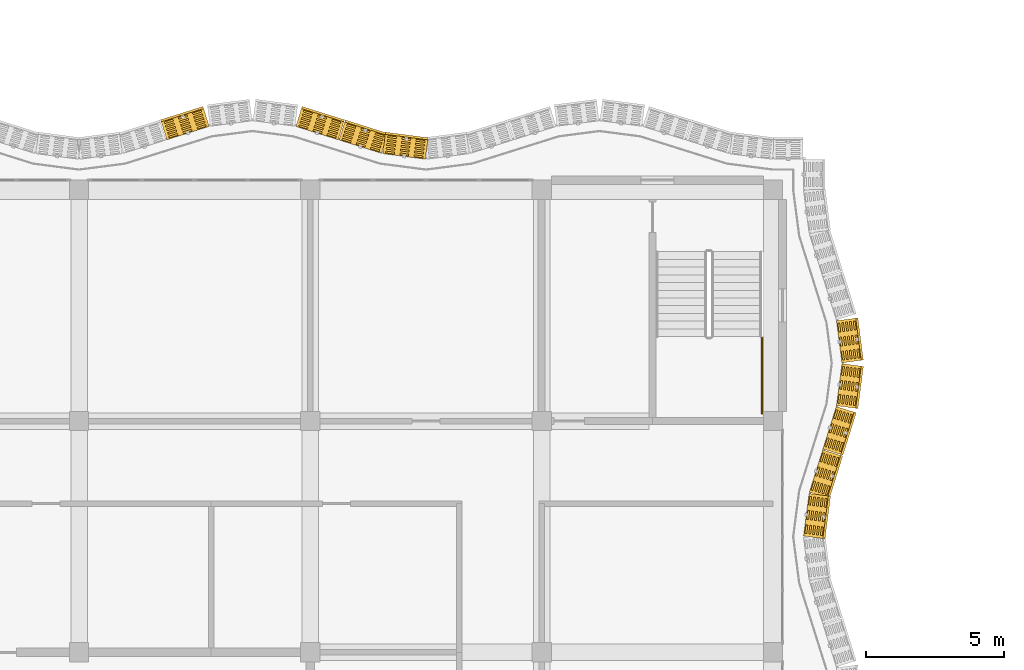
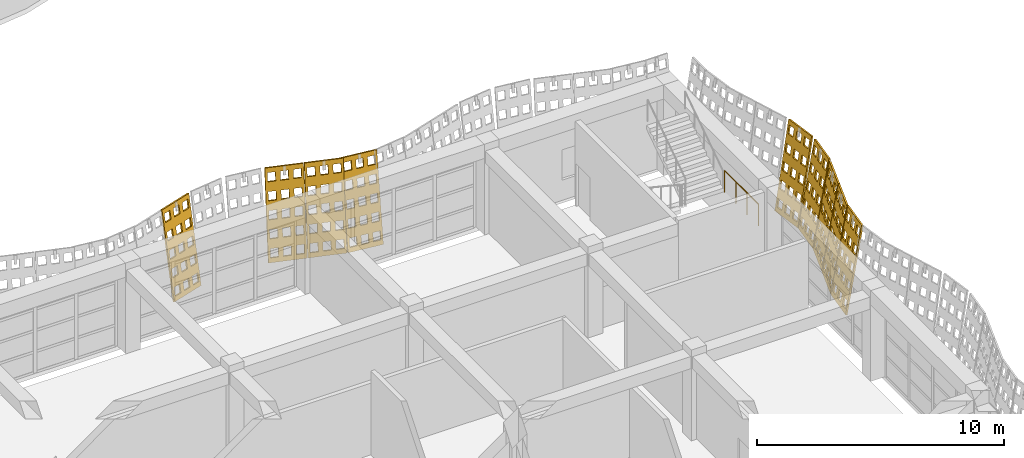
# One storey, part 161 of 163: 9 coverings, 1 railing.
"""IFC4 building model written with IfcOpenShell, lengths in metres."""

import ifcopenshell
import ifcopenshell.guid

model = None  # the IFC model being written
_history = None  # IfcOwnerHistory: only IFC2X3 demands one
_inside = {}  # id of a spatial element -> (the spatial element, [elements in it])
_under = {}  # id of a project, library or spatial element -> (it, [spatial elements below it])
_declared = {}  # id of a project -> (the project, [libraries it declares])
_typed = {}  # id of a type object -> (the type object, [elements of that type])
_made_of = {}  # id of a material, layer set ... -> (it, [elements and type objects made of it])


def new_model(schema):
    """Start an empty IFC model of exactly this schema.

    Asked for "IFC4X3", IfcOpenShell would pick the latest addendum, in which some entities
    have other attributes; the version numbers below select the first issue.
    IFC2X3 requires an IfcOwnerHistory on every rooted entity: one is made here for all.
    """
    global model, _history
    if schema == "IFC4X3":
        model = ifcopenshell.file(schema_version=(4, 3, 0, 0))
    else:
        model = ifcopenshell.file(schema=schema)
    _inside.clear()
    _under.clear()
    _declared.clear()
    _typed.clear()
    _made_of.clear()
    _history = None
    if model.schema == "IFC2X3":
        org = make("IfcOrganization", Name="unknown")
        user = make(
            "IfcPersonAndOrganization",
            ThePerson=make("IfcPerson", FamilyName="unknown"),
            TheOrganization=org,
        )
        app = make(
            "IfcApplication",
            ApplicationDeveloper=org,
            Version="unknown",
            ApplicationFullName="unknown",
            ApplicationIdentifier="unknown",
        )
        _history = make(
            "IfcOwnerHistory",
            OwningUser=user,
            OwningApplication=app,
            ChangeAction="ADDED",
            CreationDate=0,
        )
    return model


def make(cls, **values):
    """One entity of the class cls with the attributes given. An attribute that is None is left unset."""
    return model.create_entity(
        cls, **{name: value for name, value in values.items() if value is not None}
    )


def rooted(cls, **values):
    """An entity with a GlobalId (a new one), such as an element, a storey or a relation."""
    return make(cls, GlobalId=ifcopenshell.guid.new(), OwnerHistory=_history, **values)


def si_unit(unit_type, name, prefix=None):
    """IfcSIUnit, for example si_unit("LENGTHUNIT", "METRE", prefix="MILLI")."""
    return make("IfcSIUnit", UnitType=unit_type, Prefix=prefix, Name=name)


def assignment(units):
    """IfcUnitAssignment: the units of a project."""
    return None if units is None else make("IfcUnitAssignment", Units=units)


def point(xyz):
    """IfcCartesianPoint."""
    return None if xyz is None else make("IfcCartesianPoint", Coordinates=xyz)


def direction(xyz):
    """IfcDirection."""
    return None if xyz is None else make("IfcDirection", DirectionRatios=xyz)


def frame(location, z_axis=None, x_axis=None):
    """IfcAxis2Placement3D, a coordinate frame: its origin and axes. An axis left out is left unset."""
    return make(
        "IfcAxis2Placement3D",
        Location=point(location),
        Axis=direction(z_axis),
        RefDirection=direction(x_axis),
    )


def frame_2d(location, x_axis=None):
    """IfcAxis2Placement2D, a coordinate frame in the plane: its origin and x axis."""
    return make(
        "IfcAxis2Placement2D", Location=point(location), RefDirection=direction(x_axis)
    )


def origin():
    """The frame at (0, 0, 0) with its axes left unset."""
    return frame((0.0, 0.0, 0.0))


def origin_2d():
    """The frame at (0, 0) in the plane with its x axis left unset."""
    return frame_2d((0.0, 0.0))


def place(relative_to, where):
    """IfcLocalPlacement: puts the frame where relative to a parent placement (None: the world)."""
    return make(
        "IfcLocalPlacement", PlacementRelTo=relative_to, RelativePlacement=where
    )


def context(
    kind, dimensions, precision=None, world=None, true_north=None, identifier=None
):
    """IfcGeometricRepresentationContext, for example the 3D "Model" context."""
    return make(
        "IfcGeometricRepresentationContext",
        ContextIdentifier=identifier,
        ContextType=kind,
        CoordinateSpaceDimension=dimensions,
        Precision=precision,
        WorldCoordinateSystem=world,
        TrueNorth=true_north,
    )


def subcontext(parent, identifier, kind, view, scale=None):
    """IfcGeometricRepresentationSubContext, for example "Body" below "Model"."""
    return make(
        "IfcGeometricRepresentationSubContext",
        ContextIdentifier=identifier,
        ContextType=kind,
        ParentContext=parent,
        TargetScale=scale,
        TargetView=view,
    )


def project(units=None, contexts=None):
    """IfcProject with its units and contexts."""
    return rooted(
        "IfcProject",
        Name="project",
        RepresentationContexts=contexts,
        UnitsInContext=assignment(units),
    )


def spatial(cls, under=None, at=None, **own):
    """A site, building, storey or space (cls), placed at a placement, below another one or the project."""
    s = rooted(cls, ObjectPlacement=at, **own)
    if under is not None:
        _under.setdefault(under.id(), (under, []))[1].append(s)
    return s


def polyline(points):
    """IfcPolyline through the points."""
    return make("IfcPolyline", Points=[point(p) for p in points])


def profile(cls, at=None, kind="AREA", **sizes):
    """A parametric profile (cls). Its sizes go by their IFC names, for example OverallWidth=200.0."""
    return make(cls, ProfileType=kind, Position=at, **sizes)


def circle(**sizes):
    """IfcCircleProfileDef."""
    return profile("IfcCircleProfileDef", **sizes)


def outline(outer, holes=None, kind="AREA"):
    """IfcArbitraryClosedProfileDef: a profile drawn as a closed curve; with holes, ...WithVoids."""
    if holes is None:
        return make("IfcArbitraryClosedProfileDef", ProfileType=kind, OuterCurve=outer)
    return make(
        "IfcArbitraryProfileDefWithVoids",
        ProfileType=kind,
        OuterCurve=outer,
        InnerCurves=holes,
    )


def extrude(swept, where, along, depth):
    """IfcExtrudedAreaSolid: the profile swept, set in the frame where, extruded along a direction by depth."""
    return make(
        "IfcExtrudedAreaSolid",
        SweptArea=swept,
        Position=where,
        ExtrudedDirection=direction(along),
        Depth=depth,
    )


def shape(context_of_items, identifier, shape_type, items):
    """IfcShapeRepresentation: the items that make up one representation, for example the "Body"."""
    return make(
        "IfcShapeRepresentation",
        ContextOfItems=context_of_items,
        RepresentationIdentifier=identifier,
        RepresentationType=shape_type,
        Items=items,
    )


def material(Name=None, Category=None):
    """IfcMaterial."""
    return make("IfcMaterial", Name=Name, Category=Category)


def layer(
    of_material, thickness, ventilated=None, Name=None, Category=None, Priority=None
):
    """IfcMaterialLayer: one layer of a wall or slab, of a material (None: an air gap)."""
    return make(
        "IfcMaterialLayer",
        Material=of_material,
        LayerThickness=thickness,
        IsVentilated=ventilated,
        Name=Name,
        Category=Category,
        Priority=Priority,
    )


def layer_set(layers, Name=None):
    """IfcMaterialLayerSet."""
    return make("IfcMaterialLayerSet", MaterialLayers=layers, LayerSetName=Name)


def made_of(thing, what):
    """Note that an element or type object is made of a material, layer set ...; save() writes the relation."""
    if what is not None:
        _made_of.setdefault(what.id(), (what, []))[1].append(thing)
    return thing


def type_object(cls, material=None, **own):
    """A type object (cls), such as IfcWallType, which elements share."""
    return made_of(rooted(cls, **own), material)


def element(
    cls,
    number,
    at=None,
    inside=None,
    cuts=None,
    type_object=None,
    material=None,
    context=None,
    identifier="Body",
    shape_type=None,
    held_by="IfcProductDefinitionShape",
    body=None,
    shapes=None,
    **own,
):
    """One element of the class cls, such as IfcWall. Its Tag is "e" and its number.

    at: its placement. inside: the storey or other place that contains it. cuts: it is an
    opening in that element (IfcRelVoidsElement). A single representation is given by context,
    identifier, shape_type and body (its items); several are given by shapes. held_by: the class
    of the entity that holds the representations. save() writes the other relations.
    """
    e = rooted(cls, Tag="e%d" % number, ObjectPlacement=at, **own)
    if body is not None:
        shapes = [shape(context, identifier, shape_type, body)]
    if shapes is not None:
        e.Representation = make(held_by, Representations=shapes)
    if inside is not None:
        _inside.setdefault(inside.id(), (inside, []))[1].append(e)
    if cuts is not None:
        rooted(
            "IfcRelVoidsElement", RelatingBuildingElement=cuts, RelatedOpeningElement=e
        )
    if type_object is not None:
        _typed.setdefault(type_object.id(), (type_object, []))[1].append(e)
    return made_of(e, material)


def aggregate(whole, parts):
    """IfcRelAggregates: a whole, such as a stair, and the parts it consists of."""
    return rooted("IfcRelAggregates", RelatingObject=whole, RelatedObjects=parts)


def save(model, path):
    """Write the relations noted so far, then the file.

    IfcRelAggregates (storeys below a building ...), IfcRelContainedInSpatialStructure (elements
    in a storey), IfcRelDefinesByType, IfcRelAssociatesMaterial and IfcRelDeclares: one each for
    every whole, place, type object, material and project.
    """
    for whole, parts in _under.values():
        aggregate(whole, parts)
    for where, things in _inside.values():
        rooted(
            "IfcRelContainedInSpatialStructure",
            RelatedElements=things,
            RelatingStructure=where,
        )
    for kind, things in _typed.values():
        rooted("IfcRelDefinesByType", RelatedObjects=things, RelatingType=kind)
    for what, things in _made_of.values():
        rooted("IfcRelAssociatesMaterial", RelatedObjects=things, RelatingMaterial=what)
    for by, libraries in _declared.values():
        rooted("IfcRelDeclares", RelatingContext=by, RelatedDefinitions=libraries)
    model.write(path)


model = new_model("IFC4")

# Units and contexts
model_context = context("Model", 3, precision=1e-05, world=origin(), true_north=direction((0.0, 1.0)))
body_context = subcontext(model_context, "Body", "Model", "MODEL_VIEW")
ifc_project = project(units=[si_unit("LENGTHUNIT", "METRE"), si_unit("AREAUNIT", "SQUARE_METRE"), si_unit("VOLUMEUNIT", "CUBIC_METRE"), si_unit("PLANEANGLEUNIT", "RADIAN"), si_unit("MASSUNIT", "GRAM", prefix="KILO")], contexts=[model_context])

# Site, building, storey
site_placement = place(None, origin())
site = spatial("IfcSite", under=ifc_project, at=site_placement, CompositionType="ELEMENT")
building_placement = place(site_placement, origin())
building = spatial("IfcBuilding", under=site, at=building_placement, Name="Rain Tree Exposition and Congress Centre", CompositionType="ELEMENT")
storey_placement = place(building_placement, frame((0.0, 0.0, 10.5)))
storey = spatial("IfcBuildingStorey", under=building, at=storey_placement, Name="L02", CompositionType="ELEMENT", Elevation=10.5)

# Coverings
ifc_material_1 = material(Name="Perforated terracotta", Category="masonry")
ifc_layer = layer(ifc_material_1, 0.080078125)
ifc_layer_set = layer_set([ifc_layer], Name="Perforated terracotta")
covering_type = type_object("IfcCoveringType", Name="Terracotta screen 80", PredefinedType="CLADDING", material=ifc_layer_set)
covering_1_placement = place(storey_placement, frame((51.587646484375, 37.800048828125, 0.0), z_axis=(-0.978036007662, 0.127967328105, 0.16452942185), x_axis=(-0.129735338481, -0.991548658387, 0.0)))
element("IfcCovering", 1, at=covering_1_placement, inside=storey, type_object=covering_type, Name="wing/screen/L02/059", PredefinedType="CLADDING", context=body_context, shape_type="SweptSolid", body=[
    extrude(outline(polyline([(-1.5732421875, 0.0), (-1.5732421875, 4.295166015625), (-0.014892578125, 4.295166015625), (-0.014892578125, 0.0), (-1.5732421875, 0.0)]), holes=[polyline([(-0.11376953125, 0.2216796875), (-0.11376953125, 0.63720703125), (-0.435791015625, 0.63720703125), (-0.435791015625, 0.2216796875), (-0.11376953125, 0.2216796875)]), polyline([(-0.11376953125, 1.080810546875), (-0.11376953125, 1.496337890625), (-0.435791015625, 1.496337890625), (-0.435791015625, 1.080810546875), (-0.11376953125, 1.080810546875)]), polyline([(-0.11376953125, 1.939697265625), (-0.11376953125, 2.35546875), (-0.435791015625, 2.35546875), (-0.435791015625, 1.939697265625), (-0.11376953125, 1.939697265625)]), polyline([(-0.11376953125, 2.798583984375), (-0.11376953125, 3.21435546875), (-0.435791015625, 3.21435546875), (-0.435791015625, 2.798583984375), (-0.11376953125, 2.798583984375)]), polyline([(-0.11376953125, 3.65771484375), (-0.11376953125, 4.073486328125), (-0.435791015625, 4.073486328125), (-0.435791015625, 3.65771484375), (-0.11376953125, 3.65771484375)]), polyline([(-0.633056640625, 0.2216796875), (-0.633056640625, 0.63720703125), (-0.955078125, 0.63720703125), (-0.955078125, 0.2216796875), (-0.633056640625, 0.2216796875)]), polyline([(-0.633056640625, 1.080810546875), (-0.633056640625, 1.496337890625), (-0.955078125, 1.496337890625), (-0.955078125, 1.080810546875), (-0.633056640625, 1.080810546875)]), polyline([(-0.633056640625, 1.939697265625), (-0.633056640625, 2.35546875), (-0.955078125, 2.35546875), (-0.955078125, 1.939697265625), (-0.633056640625, 1.939697265625)]), polyline([(-0.633056640625, 2.798583984375), (-0.633056640625, 3.21435546875), (-0.955078125, 3.21435546875), (-0.955078125, 2.798583984375), (-0.633056640625, 2.798583984375)]), polyline([(-0.633056640625, 3.65771484375), (-0.633056640625, 4.073486328125), (-0.955078125, 4.073486328125), (-0.955078125, 3.65771484375), (-0.633056640625, 3.65771484375)]), polyline([(-1.152587890625, 0.2216796875), (-1.152587890625, 0.63720703125), (-1.474609375, 0.63720703125), (-1.474609375, 0.2216796875), (-1.152587890625, 0.2216796875)]), polyline([(-1.152587890625, 1.080810546875), (-1.152587890625, 1.496337890625), (-1.474609375, 1.496337890625), (-1.474609375, 1.080810546875), (-1.152587890625, 1.080810546875)]), polyline([(-1.152587890625, 1.939697265625), (-1.152587890625, 2.35546875), (-1.474609375, 2.35546875), (-1.474609375, 1.939697265625), (-1.152587890625, 1.939697265625)]), polyline([(-1.152587890625, 2.798583984375), (-1.152587890625, 3.21435546875), (-1.474609375, 3.21435546875), (-1.474609375, 2.798583984375), (-1.152587890625, 2.798583984375)]), polyline([(-1.152587890625, 3.65771484375), (-1.152587890625, 4.073486328125), (-1.474609375, 4.073486328125), (-1.474609375, 3.65771484375), (-1.152587890625, 3.65771484375)])]), origin(), (0.0, 0.0, 1.0), 0.080078125),
])
covering_2_placement = place(storey_placement, frame((51.79248046875, 39.375, 0.0), z_axis=(-0.941684688936, 0.296569528658, 0.158985726703), x_axis=(-0.300390227601, -0.953816392794, 0.0)))
element("IfcCovering", 2, at=covering_2_placement, inside=storey, type_object=covering_type, Name="wing/screen/L02/060", PredefinedType="CLADDING", context=body_context, shape_type="SweptSolid", body=[
    extrude(outline(polyline([(-1.635986328125, 0.0), (-1.635986328125, 4.291259765625), (-0.014892578125, 4.291259765625), (-0.014892578125, 0.0), (-1.635986328125, 0.0)]), holes=[polyline([(-0.11767578125, 0.221435546875), (-0.11767578125, 0.63671875), (-0.45263671875, 0.63671875), (-0.45263671875, 0.221435546875), (-0.11767578125, 0.221435546875)]), polyline([(-0.11767578125, 1.07958984375), (-0.11767578125, 1.4951171875), (-0.45263671875, 1.4951171875), (-0.45263671875, 1.07958984375), (-0.11767578125, 1.07958984375)]), polyline([(-0.11767578125, 1.93798828125), (-0.11767578125, 2.353271484375), (-0.45263671875, 2.353271484375), (-0.45263671875, 1.93798828125), (-0.11767578125, 1.93798828125)]), polyline([(-0.11767578125, 2.796142578125), (-0.11767578125, 3.21142578125), (-0.45263671875, 3.21142578125), (-0.45263671875, 2.796142578125), (-0.11767578125, 2.796142578125)]), polyline([(-0.11767578125, 3.654541015625), (-0.11767578125, 4.06982421875), (-0.45263671875, 4.06982421875), (-0.45263671875, 3.654541015625), (-0.11767578125, 3.654541015625)]), polyline([(-0.657958984375, 0.221435546875), (-0.657958984375, 0.63671875), (-0.992919921875, 0.63671875), (-0.992919921875, 0.221435546875), (-0.657958984375, 0.221435546875)]), polyline([(-0.657958984375, 1.07958984375), (-0.657958984375, 1.4951171875), (-0.992919921875, 1.4951171875), (-0.992919921875, 1.07958984375), (-0.657958984375, 1.07958984375)]), polyline([(-0.657958984375, 1.93798828125), (-0.657958984375, 2.353271484375), (-0.992919921875, 2.353271484375), (-0.992919921875, 1.93798828125), (-0.657958984375, 1.93798828125)]), polyline([(-0.657958984375, 2.796142578125), (-0.657958984375, 3.21142578125), (-0.992919921875, 3.21142578125), (-0.992919921875, 2.796142578125), (-0.657958984375, 2.796142578125)]), polyline([(-0.657958984375, 3.654541015625), (-0.657958984375, 4.06982421875), (-0.992919921875, 4.06982421875), (-0.992919921875, 3.654541015625), (-0.657958984375, 3.654541015625)]), polyline([(-1.1982421875, 0.221435546875), (-1.1982421875, 0.63671875), (-1.533203125, 0.63671875), (-1.533203125, 0.221435546875), (-1.1982421875, 0.221435546875)]), polyline([(-1.1982421875, 1.07958984375), (-1.1982421875, 1.4951171875), (-1.533203125, 1.4951171875), (-1.533203125, 1.07958984375), (-1.1982421875, 1.07958984375)]), polyline([(-1.1982421875, 1.93798828125), (-1.1982421875, 2.353271484375), (-1.533203125, 2.353271484375), (-1.533203125, 1.93798828125), (-1.1982421875, 1.93798828125)]), polyline([(-1.1982421875, 2.796142578125), (-1.1982421875, 3.21142578125), (-1.533203125, 3.21142578125), (-1.533203125, 2.796142578125), (-1.1982421875, 2.796142578125)]), polyline([(-1.1982421875, 3.654541015625), (-1.1982421875, 4.06982421875), (-1.533203125, 4.06982421875), (-1.533203125, 3.654541015625), (-1.1982421875, 3.654541015625)])]), origin(), (0.0, 0.0, 1.0), 0.079833984375),
])
covering_3_placement = place(storey_placement, frame((52.28759765625, 40.949951171875, 0.0), z_axis=(-0.942029390639, 0.295717964052, 0.158529217842), x_axis=(-0.29950542383, -0.954094597562, 0.0)))
element("IfcCovering", 3, at=covering_3_placement, inside=storey, type_object=covering_type, Name="wing/screen/L02/061", PredefinedType="CLADDING", context=body_context, shape_type="SweptSolid", body=[
    extrude(outline(polyline([(-1.62890625, 0.0), (-1.62890625, 4.291259765625), (-0.014892578125, 4.291259765625), (-0.014892578125, 0.0), (-1.62890625, 0.0)]), holes=[polyline([(-0.1171875, 0.221435546875), (-0.1171875, 0.63671875), (-0.45068359375, 0.63671875), (-0.45068359375, 0.221435546875), (-0.1171875, 0.221435546875)]), polyline([(-0.1171875, 1.07958984375), (-0.1171875, 1.4951171875), (-0.45068359375, 1.4951171875), (-0.45068359375, 1.07958984375), (-0.1171875, 1.07958984375)]), polyline([(-0.1171875, 1.93798828125), (-0.1171875, 2.353271484375), (-0.45068359375, 2.353271484375), (-0.45068359375, 1.93798828125), (-0.1171875, 1.93798828125)]), polyline([(-0.1171875, 2.796142578125), (-0.1171875, 3.21142578125), (-0.45068359375, 3.21142578125), (-0.45068359375, 2.796142578125), (-0.1171875, 2.796142578125)]), polyline([(-0.1171875, 3.654541015625), (-0.1171875, 4.06982421875), (-0.45068359375, 4.06982421875), (-0.45068359375, 3.654541015625), (-0.1171875, 3.654541015625)]), polyline([(-0.6552734375, 0.221435546875), (-0.6552734375, 0.63671875), (-0.98876953125, 0.63671875), (-0.98876953125, 0.221435546875), (-0.6552734375, 0.221435546875)]), polyline([(-0.6552734375, 1.07958984375), (-0.6552734375, 1.4951171875), (-0.98876953125, 1.4951171875), (-0.98876953125, 1.07958984375), (-0.6552734375, 1.07958984375)]), polyline([(-0.6552734375, 1.93798828125), (-0.6552734375, 2.353271484375), (-0.98876953125, 2.353271484375), (-0.98876953125, 1.93798828125), (-0.6552734375, 1.93798828125)]), polyline([(-0.6552734375, 2.796142578125), (-0.6552734375, 3.21142578125), (-0.98876953125, 3.21142578125), (-0.98876953125, 2.796142578125), (-0.6552734375, 2.796142578125)]), polyline([(-0.6552734375, 3.654541015625), (-0.6552734375, 4.06982421875), (-0.98876953125, 4.06982421875), (-0.98876953125, 3.654541015625), (-0.6552734375, 3.654541015625)]), polyline([(-1.193115234375, 0.221435546875), (-1.193115234375, 0.63671875), (-1.526611328125, 0.63671875), (-1.526611328125, 0.221435546875), (-1.193115234375, 0.221435546875)]), polyline([(-1.193115234375, 1.07958984375), (-1.193115234375, 1.4951171875), (-1.526611328125, 1.4951171875), (-1.526611328125, 1.07958984375), (-1.193115234375, 1.07958984375)]), polyline([(-1.193115234375, 1.93798828125), (-1.193115234375, 2.353271484375), (-1.526611328125, 2.353271484375), (-1.526611328125, 1.93798828125), (-1.193115234375, 1.93798828125)]), polyline([(-1.193115234375, 2.796142578125), (-1.193115234375, 3.21142578125), (-1.526611328125, 3.21142578125), (-1.526611328125, 2.796142578125), (-1.193115234375, 2.796142578125)]), polyline([(-1.193115234375, 3.654541015625), (-1.193115234375, 4.06982421875), (-1.526611328125, 4.06982421875), (-1.526611328125, 3.654541015625), (-1.193115234375, 3.654541015625)])]), origin(), (0.0, 0.0, 1.0), 0.080078125),
])
covering_4_placement = place(storey_placement, frame((52.78271484375, 42.52490234375, 0.0), z_axis=(-0.978036007662, 0.127967328105, 0.16452942185), x_axis=(-0.129735338481, -0.991548658387, 0.0)))
element("IfcCovering", 4, at=covering_4_placement, inside=storey, type_object=covering_type, Name="wing/screen/L02/062", PredefinedType="CLADDING", context=body_context, shape_type="SweptSolid", body=[
    extrude(outline(polyline([(-1.56298828125, 0.0), (-1.56298828125, 4.295166015625), (-0.02197265625, 4.295166015625), (-0.02197265625, 0.0), (-1.56298828125, 0.0)]), holes=[polyline([(-0.11962890625, 0.2216796875), (-0.11962890625, 0.63720703125), (-0.43798828125, 0.63720703125), (-0.43798828125, 0.2216796875), (-0.11962890625, 0.2216796875)]), polyline([(-0.11962890625, 1.080810546875), (-0.11962890625, 1.496337890625), (-0.43798828125, 1.496337890625), (-0.43798828125, 1.080810546875), (-0.11962890625, 1.080810546875)]), polyline([(-0.11962890625, 1.939697265625), (-0.11962890625, 2.35546875), (-0.43798828125, 2.35546875), (-0.43798828125, 1.939697265625), (-0.11962890625, 1.939697265625)]), polyline([(-0.11962890625, 2.798583984375), (-0.11962890625, 3.21435546875), (-0.43798828125, 3.21435546875), (-0.43798828125, 2.798583984375), (-0.11962890625, 2.798583984375)]), polyline([(-0.11962890625, 3.65771484375), (-0.11962890625, 4.073486328125), (-0.43798828125, 4.073486328125), (-0.43798828125, 3.65771484375), (-0.11962890625, 3.65771484375)]), polyline([(-0.63330078125, 0.2216796875), (-0.63330078125, 0.63720703125), (-0.95166015625, 0.63720703125), (-0.95166015625, 0.2216796875), (-0.63330078125, 0.2216796875)]), polyline([(-0.63330078125, 1.080810546875), (-0.63330078125, 1.496337890625), (-0.95166015625, 1.496337890625), (-0.95166015625, 1.080810546875), (-0.63330078125, 1.080810546875)]), polyline([(-0.63330078125, 1.939697265625), (-0.63330078125, 2.35546875), (-0.95166015625, 2.35546875), (-0.95166015625, 1.939697265625), (-0.63330078125, 1.939697265625)]), polyline([(-0.63330078125, 2.798583984375), (-0.63330078125, 3.21435546875), (-0.95166015625, 3.21435546875), (-0.95166015625, 2.798583984375), (-0.63330078125, 2.798583984375)]), polyline([(-0.63330078125, 3.65771484375), (-0.63330078125, 4.073486328125), (-0.95166015625, 4.073486328125), (-0.95166015625, 3.65771484375), (-0.63330078125, 3.65771484375)]), polyline([(-1.146728515625, 0.2216796875), (-1.146728515625, 0.63720703125), (-1.46533203125, 0.63720703125), (-1.46533203125, 0.2216796875), (-1.146728515625, 0.2216796875)]), polyline([(-1.146728515625, 1.080810546875), (-1.146728515625, 1.496337890625), (-1.46533203125, 1.496337890625), (-1.46533203125, 1.080810546875), (-1.146728515625, 1.080810546875)]), polyline([(-1.146728515625, 1.939697265625), (-1.146728515625, 2.35546875), (-1.46533203125, 2.35546875), (-1.46533203125, 1.939697265625), (-1.146728515625, 1.939697265625)]), polyline([(-1.146728515625, 2.798583984375), (-1.146728515625, 3.21435546875), (-1.46533203125, 3.21435546875), (-1.46533203125, 2.798583984375), (-1.146728515625, 2.798583984375)]), polyline([(-1.146728515625, 3.65771484375), (-1.146728515625, 4.073486328125), (-1.46533203125, 4.073486328125), (-1.46533203125, 3.65771484375), (-1.146728515625, 3.65771484375)])]), origin(), (0.0, 0.0, 1.0), 0.080078125),
])
covering_5_placement = place(storey_placement, frame((52.987548828125, 44.10009765625, 0.0), z_axis=(-0.978036007662, -0.127967328105, 0.16452942185), x_axis=(0.129735338481, -0.991548658387, 0.0)))
element("IfcCovering", 5, at=covering_5_placement, inside=storey, type_object=covering_type, Name="wing/screen/L02/063", PredefinedType="CLADDING", context=body_context, shape_type="SweptSolid", body=[
    extrude(outline(polyline([(-1.56640625, 0.0), (-1.56640625, 4.295166015625), (-0.025390625, 4.295166015625), (-0.025390625, 0.0), (-1.56640625, 0.0)]), holes=[polyline([(-0.123046875, 0.2216796875), (-0.123046875, 0.63720703125), (-0.44140625, 0.63720703125), (-0.44140625, 0.2216796875), (-0.123046875, 0.2216796875)]), polyline([(-0.123046875, 1.080810546875), (-0.123046875, 1.496337890625), (-0.44140625, 1.496337890625), (-0.44140625, 1.080810546875), (-0.123046875, 1.080810546875)]), polyline([(-0.123046875, 1.939697265625), (-0.123046875, 2.35546875), (-0.44140625, 2.35546875), (-0.44140625, 1.939697265625), (-0.123046875, 1.939697265625)]), polyline([(-0.123046875, 2.798583984375), (-0.123046875, 3.21435546875), (-0.44140625, 3.21435546875), (-0.44140625, 2.798583984375), (-0.123046875, 2.798583984375)]), polyline([(-0.123046875, 3.65771484375), (-0.123046875, 4.073486328125), (-0.44140625, 4.073486328125), (-0.44140625, 3.65771484375), (-0.123046875, 3.65771484375)]), polyline([(-0.63671875, 0.2216796875), (-0.63671875, 0.63720703125), (-0.955078125, 0.63720703125), (-0.955078125, 0.2216796875), (-0.63671875, 0.2216796875)]), polyline([(-0.63671875, 1.080810546875), (-0.63671875, 1.496337890625), (-0.955078125, 1.496337890625), (-0.955078125, 1.080810546875), (-0.63671875, 1.080810546875)]), polyline([(-0.63671875, 1.939697265625), (-0.63671875, 2.35546875), (-0.955078125, 2.35546875), (-0.955078125, 1.939697265625), (-0.63671875, 1.939697265625)]), polyline([(-0.63671875, 2.798583984375), (-0.63671875, 3.21435546875), (-0.955078125, 3.21435546875), (-0.955078125, 2.798583984375), (-0.63671875, 2.798583984375)]), polyline([(-0.63671875, 3.65771484375), (-0.63671875, 4.073486328125), (-0.955078125, 4.073486328125), (-0.955078125, 3.65771484375), (-0.63671875, 3.65771484375)]), polyline([(-1.150146484375, 0.2216796875), (-1.150146484375, 0.63720703125), (-1.46875, 0.63720703125), (-1.46875, 0.2216796875), (-1.150146484375, 0.2216796875)]), polyline([(-1.150146484375, 1.080810546875), (-1.150146484375, 1.496337890625), (-1.46875, 1.496337890625), (-1.46875, 1.080810546875), (-1.150146484375, 1.080810546875)]), polyline([(-1.150146484375, 1.939697265625), (-1.150146484375, 2.35546875), (-1.46875, 2.35546875), (-1.46875, 1.939697265625), (-1.150146484375, 1.939697265625)]), polyline([(-1.150146484375, 2.798583984375), (-1.150146484375, 3.21435546875), (-1.46875, 3.21435546875), (-1.46875, 2.798583984375), (-1.150146484375, 2.798583984375)]), polyline([(-1.150146484375, 3.65771484375), (-1.150146484375, 4.073486328125), (-1.46875, 4.073486328125), (-1.46875, 3.65771484375), (-1.150146484375, 3.65771484375)])]), origin(), (0.0, 0.0, 1.0), 0.080078125),
])
covering_6_placement = place(storey_placement, frame((37.800048828125, 51.587646484375, 0.0), z_axis=(-0.127967328105, -0.978036007662, 0.16452942185), x_axis=(0.991548658387, -0.129735338481, 0.0)))
element("IfcCovering", 6, at=covering_6_placement, inside=storey, type_object=covering_type, Name="wing/screen/L02/077", PredefinedType="CLADDING", context=body_context, shape_type="SweptSolid", body=[
    extrude(outline(polyline([(-1.5732421875, 0.0), (-1.5732421875, 4.295166015625), (-0.014892578125, 4.295166015625), (-0.014892578125, 0.0), (-1.5732421875, 0.0)]), holes=[polyline([(-0.11376953125, 0.2216796875), (-0.11376953125, 0.63720703125), (-0.435791015625, 0.63720703125), (-0.435791015625, 0.2216796875), (-0.11376953125, 0.2216796875)]), polyline([(-0.11376953125, 1.080810546875), (-0.11376953125, 1.496337890625), (-0.435791015625, 1.496337890625), (-0.435791015625, 1.080810546875), (-0.11376953125, 1.080810546875)]), polyline([(-0.11376953125, 1.939697265625), (-0.11376953125, 2.35546875), (-0.435791015625, 2.35546875), (-0.435791015625, 1.939697265625), (-0.11376953125, 1.939697265625)]), polyline([(-0.11376953125, 2.798583984375), (-0.11376953125, 3.21435546875), (-0.435791015625, 3.21435546875), (-0.435791015625, 2.798583984375), (-0.11376953125, 2.798583984375)]), polyline([(-0.11376953125, 3.65771484375), (-0.11376953125, 4.073486328125), (-0.435791015625, 4.073486328125), (-0.435791015625, 3.65771484375), (-0.11376953125, 3.65771484375)]), polyline([(-0.633056640625, 0.2216796875), (-0.633056640625, 0.63720703125), (-0.955078125, 0.63720703125), (-0.955078125, 0.2216796875), (-0.633056640625, 0.2216796875)]), polyline([(-0.633056640625, 1.080810546875), (-0.633056640625, 1.496337890625), (-0.955078125, 1.496337890625), (-0.955078125, 1.080810546875), (-0.633056640625, 1.080810546875)]), polyline([(-0.633056640625, 1.939697265625), (-0.633056640625, 2.35546875), (-0.955078125, 2.35546875), (-0.955078125, 1.939697265625), (-0.633056640625, 1.939697265625)]), polyline([(-0.633056640625, 2.798583984375), (-0.633056640625, 3.21435546875), (-0.955078125, 3.21435546875), (-0.955078125, 2.798583984375), (-0.633056640625, 2.798583984375)]), polyline([(-0.633056640625, 3.65771484375), (-0.633056640625, 4.073486328125), (-0.955078125, 4.073486328125), (-0.955078125, 3.65771484375), (-0.633056640625, 3.65771484375)]), polyline([(-1.152587890625, 0.2216796875), (-1.152587890625, 0.63720703125), (-1.474609375, 0.63720703125), (-1.474609375, 0.2216796875), (-1.152587890625, 0.2216796875)]), polyline([(-1.152587890625, 1.080810546875), (-1.152587890625, 1.496337890625), (-1.474609375, 1.496337890625), (-1.474609375, 1.080810546875), (-1.152587890625, 1.080810546875)]), polyline([(-1.152587890625, 1.939697265625), (-1.152587890625, 2.35546875), (-1.474609375, 2.35546875), (-1.474609375, 1.939697265625), (-1.152587890625, 1.939697265625)]), polyline([(-1.152587890625, 2.798583984375), (-1.152587890625, 3.21435546875), (-1.474609375, 3.21435546875), (-1.474609375, 2.798583984375), (-1.152587890625, 2.798583984375)]), polyline([(-1.152587890625, 3.65771484375), (-1.152587890625, 4.073486328125), (-1.474609375, 4.073486328125), (-1.474609375, 3.65771484375), (-1.152587890625, 3.65771484375)])]), origin(), (0.0, 0.0, 1.0), 0.080078125),
])
covering_7_placement = place(storey_placement, frame((36.22509765625, 51.79248046875, 0.0), z_axis=(-0.296569528658, -0.941684688936, 0.158985726703), x_axis=(0.953816392794, -0.300390227601, 0.0)))
element("IfcCovering", 7, at=covering_7_placement, inside=storey, type_object=covering_type, Name="wing/screen/L02/078", PredefinedType="CLADDING", context=body_context, shape_type="SweptSolid", body=[
    extrude(outline(polyline([(-1.635986328125, 0.0), (-1.635986328125, 4.291259765625), (-0.014892578125, 4.291259765625), (-0.014892578125, 0.0), (-1.635986328125, 0.0)]), holes=[polyline([(-0.11767578125, 0.221435546875), (-0.11767578125, 0.63671875), (-0.45263671875, 0.63671875), (-0.45263671875, 0.221435546875), (-0.11767578125, 0.221435546875)]), polyline([(-0.11767578125, 1.07958984375), (-0.11767578125, 1.4951171875), (-0.45263671875, 1.4951171875), (-0.45263671875, 1.07958984375), (-0.11767578125, 1.07958984375)]), polyline([(-0.11767578125, 1.93798828125), (-0.11767578125, 2.353271484375), (-0.45263671875, 2.353271484375), (-0.45263671875, 1.93798828125), (-0.11767578125, 1.93798828125)]), polyline([(-0.11767578125, 2.796142578125), (-0.11767578125, 3.21142578125), (-0.45263671875, 3.21142578125), (-0.45263671875, 2.796142578125), (-0.11767578125, 2.796142578125)]), polyline([(-0.11767578125, 3.654541015625), (-0.11767578125, 4.06982421875), (-0.45263671875, 4.06982421875), (-0.45263671875, 3.654541015625), (-0.11767578125, 3.654541015625)]), polyline([(-0.657958984375, 0.221435546875), (-0.657958984375, 0.63671875), (-0.992919921875, 0.63671875), (-0.992919921875, 0.221435546875), (-0.657958984375, 0.221435546875)]), polyline([(-0.657958984375, 1.07958984375), (-0.657958984375, 1.4951171875), (-0.992919921875, 1.4951171875), (-0.992919921875, 1.07958984375), (-0.657958984375, 1.07958984375)]), polyline([(-0.657958984375, 1.93798828125), (-0.657958984375, 2.353271484375), (-0.992919921875, 2.353271484375), (-0.992919921875, 1.93798828125), (-0.657958984375, 1.93798828125)]), polyline([(-0.657958984375, 2.796142578125), (-0.657958984375, 3.21142578125), (-0.992919921875, 3.21142578125), (-0.992919921875, 2.796142578125), (-0.657958984375, 2.796142578125)]), polyline([(-0.657958984375, 3.654541015625), (-0.657958984375, 4.06982421875), (-0.992919921875, 4.06982421875), (-0.992919921875, 3.654541015625), (-0.657958984375, 3.654541015625)]), polyline([(-1.1982421875, 0.221435546875), (-1.1982421875, 0.63671875), (-1.533203125, 0.63671875), (-1.533203125, 0.221435546875), (-1.1982421875, 0.221435546875)]), polyline([(-1.1982421875, 1.07958984375), (-1.1982421875, 1.4951171875), (-1.533203125, 1.4951171875), (-1.533203125, 1.07958984375), (-1.1982421875, 1.07958984375)]), polyline([(-1.1982421875, 1.93798828125), (-1.1982421875, 2.353271484375), (-1.533203125, 2.353271484375), (-1.533203125, 1.93798828125), (-1.1982421875, 1.93798828125)]), polyline([(-1.1982421875, 2.796142578125), (-1.1982421875, 3.21142578125), (-1.533203125, 3.21142578125), (-1.533203125, 2.796142578125), (-1.1982421875, 2.796142578125)]), polyline([(-1.1982421875, 3.654541015625), (-1.1982421875, 4.06982421875), (-1.533203125, 4.06982421875), (-1.533203125, 3.654541015625), (-1.1982421875, 3.654541015625)])]), origin(), (0.0, 0.0, 1.0), 0.079833984375),
])
covering_8_placement = place(storey_placement, frame((34.64990234375, 52.28759765625, 0.0), z_axis=(-0.295717964052, -0.942029390639, 0.158529217842), x_axis=(0.954094597562, -0.29950542383, 0.0)))
element("IfcCovering", 8, at=covering_8_placement, inside=storey, type_object=covering_type, Name="wing/screen/L02/079", PredefinedType="CLADDING", context=body_context, shape_type="SweptSolid", body=[
    extrude(outline(polyline([(-1.62890625, 0.0), (-1.62890625, 4.291259765625), (-0.014892578125, 4.291259765625), (-0.014892578125, 0.0), (-1.62890625, 0.0)]), holes=[polyline([(-0.1171875, 0.221435546875), (-0.1171875, 0.63671875), (-0.45068359375, 0.63671875), (-0.45068359375, 0.221435546875), (-0.1171875, 0.221435546875)]), polyline([(-0.1171875, 1.07958984375), (-0.1171875, 1.4951171875), (-0.45068359375, 1.4951171875), (-0.45068359375, 1.07958984375), (-0.1171875, 1.07958984375)]), polyline([(-0.1171875, 1.93798828125), (-0.1171875, 2.353271484375), (-0.45068359375, 2.353271484375), (-0.45068359375, 1.93798828125), (-0.1171875, 1.93798828125)]), polyline([(-0.1171875, 2.796142578125), (-0.1171875, 3.21142578125), (-0.45068359375, 3.21142578125), (-0.45068359375, 2.796142578125), (-0.1171875, 2.796142578125)]), polyline([(-0.1171875, 3.654541015625), (-0.1171875, 4.06982421875), (-0.45068359375, 4.06982421875), (-0.45068359375, 3.654541015625), (-0.1171875, 3.654541015625)]), polyline([(-0.6552734375, 0.221435546875), (-0.6552734375, 0.63671875), (-0.98876953125, 0.63671875), (-0.98876953125, 0.221435546875), (-0.6552734375, 0.221435546875)]), polyline([(-0.6552734375, 1.07958984375), (-0.6552734375, 1.4951171875), (-0.98876953125, 1.4951171875), (-0.98876953125, 1.07958984375), (-0.6552734375, 1.07958984375)]), polyline([(-0.6552734375, 1.93798828125), (-0.6552734375, 2.353271484375), (-0.98876953125, 2.353271484375), (-0.98876953125, 1.93798828125), (-0.6552734375, 1.93798828125)]), polyline([(-0.6552734375, 2.796142578125), (-0.6552734375, 3.21142578125), (-0.98876953125, 3.21142578125), (-0.98876953125, 2.796142578125), (-0.6552734375, 2.796142578125)]), polyline([(-0.6552734375, 3.654541015625), (-0.6552734375, 4.06982421875), (-0.98876953125, 4.06982421875), (-0.98876953125, 3.654541015625), (-0.6552734375, 3.654541015625)]), polyline([(-1.193115234375, 0.221435546875), (-1.193115234375, 0.63671875), (-1.526611328125, 0.63671875), (-1.526611328125, 0.221435546875), (-1.193115234375, 0.221435546875)]), polyline([(-1.193115234375, 1.07958984375), (-1.193115234375, 1.4951171875), (-1.526611328125, 1.4951171875), (-1.526611328125, 1.07958984375), (-1.193115234375, 1.07958984375)]), polyline([(-1.193115234375, 1.93798828125), (-1.193115234375, 2.353271484375), (-1.526611328125, 2.353271484375), (-1.526611328125, 1.93798828125), (-1.193115234375, 1.93798828125)]), polyline([(-1.193115234375, 2.796142578125), (-1.193115234375, 3.21142578125), (-1.526611328125, 3.21142578125), (-1.526611328125, 2.796142578125), (-1.193115234375, 2.796142578125)]), polyline([(-1.193115234375, 3.654541015625), (-1.193115234375, 4.06982421875), (-1.526611328125, 4.06982421875), (-1.526611328125, 3.654541015625), (-1.193115234375, 3.654541015625)])]), origin(), (0.0, 0.0, 1.0), 0.080078125),
])
covering_9_placement = place(storey_placement, frame((29.925048828125, 52.78271484375, 0.0), z_axis=(0.295717964052, -0.942029390639, 0.158529217842), x_axis=(0.954094597562, 0.29950542383, 0.0)))
element("IfcCovering", 9, at=covering_9_placement, inside=storey, type_object=covering_type, Name="wing/screen/L02/082", PredefinedType="CLADDING", context=body_context, shape_type="SweptSolid", body=[
    extrude(outline(polyline([(-1.635986328125, 0.0), (-1.635986328125, 4.291259765625), (-0.02197265625, 4.291259765625), (-0.02197265625, 0.0), (-1.635986328125, 0.0)]), holes=[polyline([(-0.124267578125, 0.221435546875), (-0.124267578125, 0.63671875), (-0.457763671875, 0.63671875), (-0.457763671875, 0.221435546875), (-0.124267578125, 0.221435546875)]), polyline([(-0.124267578125, 1.07958984375), (-0.124267578125, 1.4951171875), (-0.457763671875, 1.4951171875), (-0.457763671875, 1.07958984375), (-0.124267578125, 1.07958984375)]), polyline([(-0.124267578125, 1.93798828125), (-0.124267578125, 2.353271484375), (-0.457763671875, 2.353271484375), (-0.457763671875, 1.93798828125), (-0.124267578125, 1.93798828125)]), polyline([(-0.124267578125, 2.796142578125), (-0.124267578125, 3.21142578125), (-0.457763671875, 3.21142578125), (-0.457763671875, 2.796142578125), (-0.124267578125, 2.796142578125)]), polyline([(-0.124267578125, 3.654541015625), (-0.124267578125, 4.06982421875), (-0.457763671875, 4.06982421875), (-0.457763671875, 3.654541015625), (-0.124267578125, 3.654541015625)]), polyline([(-0.662109375, 0.221435546875), (-0.662109375, 0.63671875), (-0.995849609375, 0.63671875), (-0.995849609375, 0.221435546875), (-0.662109375, 0.221435546875)]), polyline([(-0.662109375, 1.07958984375), (-0.662109375, 1.4951171875), (-0.995849609375, 1.4951171875), (-0.995849609375, 1.07958984375), (-0.662109375, 1.07958984375)]), polyline([(-0.662109375, 1.93798828125), (-0.662109375, 2.353271484375), (-0.995849609375, 2.353271484375), (-0.995849609375, 1.93798828125), (-0.662109375, 1.93798828125)]), polyline([(-0.662109375, 2.796142578125), (-0.662109375, 3.21142578125), (-0.995849609375, 3.21142578125), (-0.995849609375, 2.796142578125), (-0.662109375, 2.796142578125)]), polyline([(-0.662109375, 3.654541015625), (-0.662109375, 4.06982421875), (-0.995849609375, 4.06982421875), (-0.995849609375, 3.654541015625), (-0.662109375, 3.654541015625)]), polyline([(-1.2001953125, 0.221435546875), (-1.2001953125, 0.63671875), (-1.53369140625, 0.63671875), (-1.53369140625, 0.221435546875), (-1.2001953125, 0.221435546875)]), polyline([(-1.2001953125, 1.07958984375), (-1.2001953125, 1.4951171875), (-1.53369140625, 1.4951171875), (-1.53369140625, 1.07958984375), (-1.2001953125, 1.07958984375)]), polyline([(-1.2001953125, 1.93798828125), (-1.2001953125, 2.353271484375), (-1.53369140625, 2.353271484375), (-1.53369140625, 1.93798828125), (-1.2001953125, 1.93798828125)]), polyline([(-1.2001953125, 2.796142578125), (-1.2001953125, 3.21142578125), (-1.53369140625, 3.21142578125), (-1.53369140625, 2.796142578125), (-1.2001953125, 2.796142578125)]), polyline([(-1.2001953125, 3.654541015625), (-1.2001953125, 4.06982421875), (-1.53369140625, 4.06982421875), (-1.53369140625, 3.654541015625), (-1.2001953125, 3.654541015625)])]), origin(), (0.0, 0.0, 1.0), 0.080078125),
])

# Railing
ifc_material_2 = material(Name="Steel S355J2H", Category="steel")
railing_type = type_object("IfcRailingType", Name="Wing stair guard 1100", PredefinedType="GUARDRAIL", material=ifc_material_2)
railing_placement = place(storey_placement, frame((50.0029296875, 45.02001953125, 2.25)))
element("IfcRailing", 10, at=railing_placement, inside=storey, type_object=railing_type, Name="wing/stair/ST-W4-L02-LG1", PredefinedType="GUARDRAIL", context=body_context, shape_type="SweptSolid", body=[
    extrude(circle(Radius=0.02392578125, at=origin_2d()), frame((0.0, 0.0, 1.076171875), z_axis=(0.0, -1.0, 0.0), x_axis=(1.0, 0.0, 0.0)), (0.0, 0.0, 1.0), 2.748046875),
    extrude(circle(Radius=0.02099609375, at=origin_2d()), origin(), (0.0, 0.0, 1.0), 1.052001953125),
    extrude(circle(Radius=0.02099609375, at=origin_2d()), frame((0.0, -0.916015625, 0.0)), (0.0, 0.0, 1.0), 1.052001953125),
    extrude(circle(Radius=0.02099609375, at=origin_2d()), frame((0.0, -1.83203125, 0.0)), (0.0, 0.0, 1.0), 1.052001953125),
    extrude(circle(Radius=0.02099609375, at=origin_2d()), frame((0.0, -2.748046875, 0.0)), (0.0, 0.0, 1.0), 1.052001953125),
])

save(model, "model.ifc")
